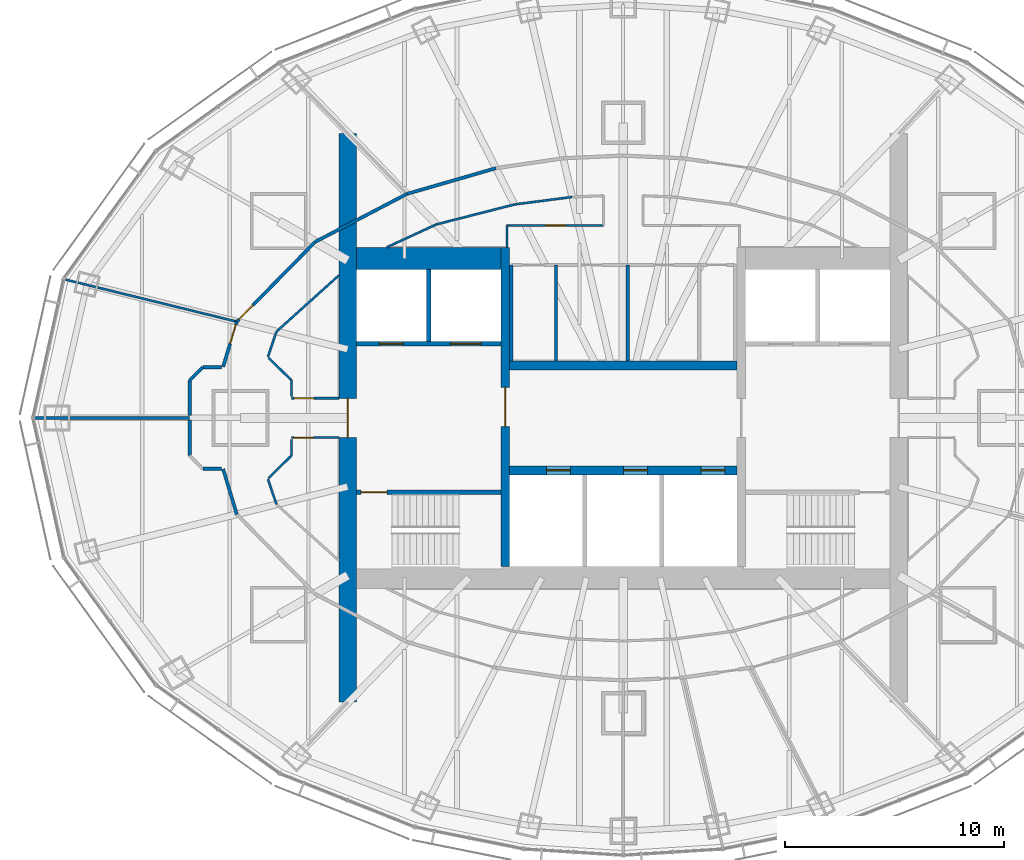
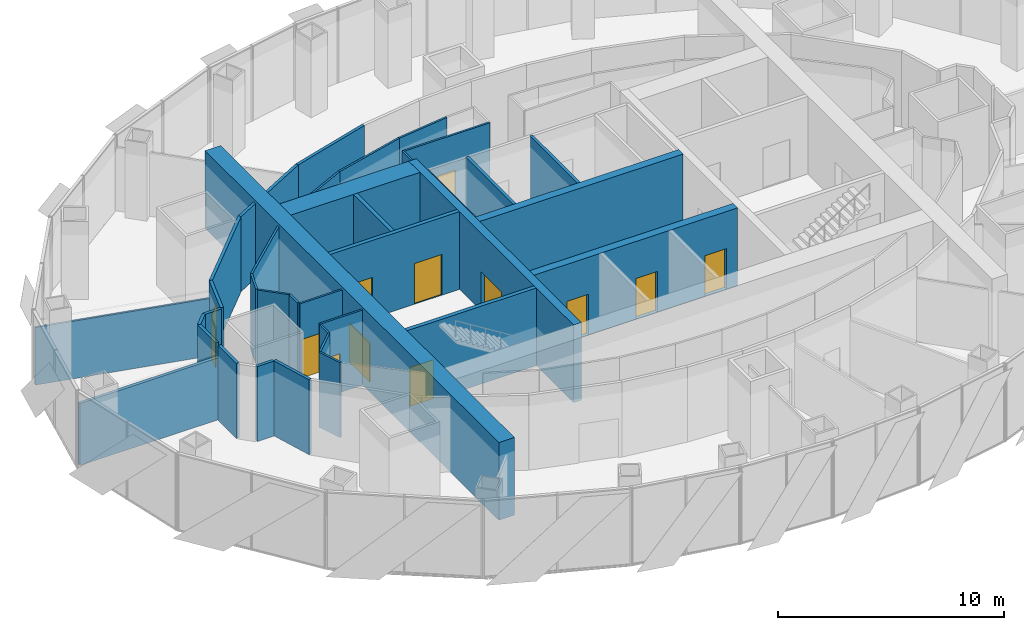
# One storey, part 12 of 17: 37 walls, 13 doors, 13 openings.
"""IFC4 building model written with IfcOpenShell, lengths in metres."""

from ifc_helpers import new_model, si_unit, direction, frame, frame_2d, origin, place, context, subcontext, project, spatial, rectangle, extrude, material, layer, layer_set, type_object, element, fill, save


model = new_model("IFC4")

# Units and contexts
model_context = context("Model", 3, precision=1e-05, world=origin(), true_north=direction((0.0, 1.0)))
body_context = subcontext(model_context, "Body", "Model", "MODEL_VIEW")
ifc_project = project(units=[si_unit("LENGTHUNIT", "METRE"), si_unit("AREAUNIT", "SQUARE_METRE"), si_unit("VOLUMEUNIT", "CUBIC_METRE"), si_unit("PLANEANGLEUNIT", "RADIAN"), si_unit("MASSUNIT", "GRAM", prefix="KILO")], contexts=[model_context])

# Site, building, storey
site_placement = place(None, origin())
site = spatial("IfcSite", under=ifc_project, at=site_placement, CompositionType="ELEMENT")
building_placement = place(site_placement, origin())
building = spatial("IfcBuilding", under=site, at=building_placement, Name="Lantaw Convention Tower", CompositionType="ELEMENT")
storey_placement = place(building_placement, frame((0.0, 0.0, 215.800048828125)))
storey = spatial("IfcBuildingStorey", under=building, at=storey_placement, Name="L50", CompositionType="ELEMENT", Elevation=215.800048828125)

# Wall
ifc_material_1 = material(Name="Concrete C60/75", Category="concrete")
ifc_layer_1 = layer(ifc_material_1, 1.0)
ifc_layer_set_1 = layer_set([ifc_layer_1], Name="Core wall 1000")
wall_type_1 = type_object("IfcWallType", Name="Core wall 1000", PredefinedType="SHEAR", material=ifc_layer_set_1)
wall_1_placement = place(storey_placement, frame((-5.60009765625, 7.300048828125, 0.0), z_axis=(0.0, 0.0, 1.0), x_axis=(-1.0, 0.0, 0.0)))
element("IfcWall", 1, at=wall_1_placement, inside=storey, type_object=wall_type_1, Name="Core wall NW", PredefinedType="SHEAR", context=body_context, shape_type="SweptSolid", body=[
    extrude(rectangle(XDim=6.599853515625, YDim=1.0, at=frame_2d((3.2998046875, 0.0))), origin(), (0.0, 0.0, 1.0), 4.199951171875),
])

# Wall, opening, door
ifc_layer_2 = layer(ifc_material_1, 0.199951171875)
ifc_layer_set_2 = layer_set([ifc_layer_2], Name="Core wall 200")
wall_type_2 = type_object("IfcWallType", Name="Core wall 200", PredefinedType="SHEAR", material=ifc_layer_set_2)
wall_2_placement = place(storey_placement, frame((-5.60009765625, -3.39990234375, 0.0), z_axis=(0.0, 0.0, 1.0), x_axis=(-1.0, 0.0, 0.0)))
wall_2 = element("IfcWall", 2, at=wall_2_placement, inside=storey, type_object=wall_type_2, Name="Core wall WS", PredefinedType="SHEAR", context=body_context, shape_type="SweptSolid", body=[
    extrude(rectangle(XDim=6.599853515625, YDim=0.199951171875, at=frame_2d((3.2998046875, 0.0))), origin(), (0.0, 0.0, 1.0), 4.199951171875),
])
opening_1_placement = place(wall_2_placement, frame((5.199951171875, 0.0, 0.0)))
opening_1 = element("IfcOpeningElement", 3, at=opening_1_placement, cuts=wall_2, Name="Opening L50.04", PredefinedType="OPENING", context=body_context, shape_type="SweptSolid", body=[
    extrude(rectangle(XDim=1.199951171875, YDim=2.10009765625, at=frame_2d((0.60009765625, 1.050048828125))), frame((0.0, 0.10986328125, 0.0), z_axis=(0.0, -1.0, 0.0), x_axis=(1.0, 0.0, 0.0)), (0.0, 0.0, 1.0), 0.219970703125),
])
ifc_material_2 = material(Name="Steel, fire rated", Category="steel")
door_type_1 = type_object("IfcDoorType", Name="Stair door FD90", OperationType="SINGLE_SWING_RIGHT", PredefinedType="DOOR", material=ifc_material_2)
door_1_placement = place(opening_1_placement, origin())
door_1 = element("IfcDoor", 4, at=door_1_placement, inside=storey, type_object=door_type_1, Name="Exit stair door", OperationType="SINGLE_SWING_RIGHT", OverallHeight=2.10009765625, OverallWidth=1.199951171875, PredefinedType="DOOR", context=body_context, shape_type="SweptSolid", body=[
    extrude(rectangle(XDim=1.199951171875, YDim=2.10009765625, at=frame_2d((0.60009765625, 1.050048828125))), frame((0.0, 0.02490234375, 0.0), z_axis=(0.0, -1.0, 0.0), x_axis=(1.0, 0.0, 0.0)), (0.0, 0.0, 1.0), 0.050048828125),
])
fill(opening_1, door_1)

ifc_layer_3 = layer(ifc_material_1, 0.39990234375)
ifc_layer_set_3 = layer_set([ifc_layer_3], Name="Core wall 400")
wall_type_3 = type_object("IfcWallType", Name="Core wall 400", PredefinedType="SHEAR", material=ifc_layer_set_3)
wall_3_placement = place(storey_placement, frame((-5.39990234375, 7.800048828125, 0.0), z_axis=(0.0, 0.0, 1.0), x_axis=(0.0, -1.0, 0.0)))
wall_3 = element("IfcWall", 5, at=wall_3_placement, inside=storey, type_object=wall_type_3, Name="Core wall XW", PredefinedType="SHEAR", context=body_context, shape_type="SweptSolid", body=[
    extrude(rectangle(XDim=14.60009765625, YDim=0.39990234375, at=frame_2d((7.300048828125, 0.0))), origin(), (0.0, 0.0, 1.0), 4.199951171875),
])
opening_2_placement = place(wall_3_placement, frame((6.39990234375, 0.0, 0.0)))
opening_2 = element("IfcOpeningElement", 6, at=opening_2_placement, cuts=wall_3, Name="Opening L50.02", PredefinedType="OPENING", context=body_context, shape_type="SweptSolid", body=[
    extrude(rectangle(XDim=1.800048828125, YDim=2.10009765625, at=frame_2d((0.89990234375, 1.050048828125))), frame((0.0, 0.2099609375, 0.0), z_axis=(0.0, -1.0, 0.0), x_axis=(1.0, 0.0, 0.0)), (0.0, 0.0, 1.0), 0.419921875),
])
door_type_2 = type_object("IfcDoorType", Name="Lobby double door FD90", OperationType="DOUBLE_DOOR_DOUBLE_SWING", PredefinedType="DOOR", material=ifc_material_2)
door_2_placement = place(opening_2_placement, origin())
door_2 = element("IfcDoor", 7, at=door_2_placement, inside=storey, type_object=door_type_2, Name="Lift lobby door", OperationType="DOUBLE_DOOR_DOUBLE_SWING", OverallHeight=2.10009765625, OverallWidth=1.800048828125, PredefinedType="DOOR", context=body_context, shape_type="SweptSolid", body=[
    extrude(rectangle(XDim=1.800048828125, YDim=2.10009765625, at=frame_2d((0.89990234375, 1.050048828125))), frame((0.0, 0.02490234375, 0.0), z_axis=(0.0, -1.0, 0.0), x_axis=(1.0, 0.0, 0.0)), (0.0, 0.0, 1.0), 0.050048828125),
])
fill(opening_2, door_2)

# Wall, openings, doors
wall_4_placement = place(storey_placement, frame((-5.199951171875, -2.39990234375, 0.0), z_axis=(0.0, 0.0, 1.0), x_axis=(1.0, 0.0, 0.0)))
wall_4 = element("IfcWall", 8, at=wall_4_placement, inside=storey, type_object=wall_type_3, Name="Core wall BS", PredefinedType="SHEAR", context=body_context, shape_type="SweptSolid", body=[
    extrude(rectangle(XDim=10.39990234375, YDim=0.39990234375, at=frame_2d((5.199951171875, 0.0))), origin(), (0.0, 0.0, 1.0), 4.199951171875),
])
opening_3_placement = place(wall_4_placement, frame((1.683349609375, 0.0, 0.0)))
opening_3 = element("IfcOpeningElement", 9, at=opening_3_placement, cuts=wall_4, Name="Opening L50.07", PredefinedType="OPENING", context=body_context, shape_type="SweptSolid", body=[
    extrude(rectangle(XDim=1.10009765625, YDim=2.199951171875, at=frame_2d((0.550048828125, 1.10009765625))), frame((0.0, 0.2099609375, 0.0), z_axis=(0.0, -1.0, 0.0), x_axis=(1.0, 0.0, 0.0)), (0.0, 0.0, 1.0), 0.419921875),
])
opening_4_placement = place(wall_4_placement, frame((5.216796875, 0.0, 0.0)))
opening_4 = element("IfcOpeningElement", 10, at=opening_4_placement, cuts=wall_4, Name="Opening L50.08", PredefinedType="OPENING", context=body_context, shape_type="SweptSolid", body=[
    extrude(rectangle(XDim=1.10009765625, YDim=2.199951171875, at=frame_2d((0.550048828125, 1.10009765625))), frame((0.0, 0.2099609375, 0.0), z_axis=(0.0, -1.0, 0.0), x_axis=(1.0, 0.0, 0.0)), (0.0, 0.0, 1.0), 0.419921875),
])
opening_5_placement = place(wall_4_placement, frame((8.75, 0.0, 0.0)))
opening_5 = element("IfcOpeningElement", 11, at=opening_5_placement, cuts=wall_4, Name="Opening L50.09", PredefinedType="OPENING", context=body_context, shape_type="SweptSolid", body=[
    extrude(rectangle(XDim=1.10009765625, YDim=2.199951171875, at=frame_2d((0.550048828125, 1.10009765625))), frame((0.0, 0.2099609375, 0.0), z_axis=(0.0, -1.0, 0.0), x_axis=(1.0, 0.0, 0.0)), (0.0, 0.0, 1.0), 0.419921875),
])
ifc_material_3 = material(Name="Stainless steel", Category="steel")
door_type_3 = type_object("IfcDoorType", Name="Lift landing door 1100", OperationType="DOUBLE_DOOR_SLIDING", PredefinedType="DOOR", material=ifc_material_3)
door_3_placement = place(opening_3_placement, origin())
door_3 = element("IfcDoor", 12, at=door_3_placement, inside=storey, type_object=door_type_3, Name="Lift landing door S1", OperationType="DOUBLE_DOOR_SLIDING", OverallHeight=2.199951171875, OverallWidth=1.10009765625, PredefinedType="DOOR", context=body_context, shape_type="SweptSolid", body=[
    extrude(rectangle(XDim=1.10009765625, YDim=2.199951171875, at=frame_2d((0.550048828125, 1.10009765625))), frame((0.0, 0.02490234375, 0.0), z_axis=(0.0, -1.0, 0.0), x_axis=(1.0, 0.0, 0.0)), (0.0, 0.0, 1.0), 0.050048828125),
])
fill(opening_3, door_3)
door_4_placement = place(opening_4_placement, origin())
door_4 = element("IfcDoor", 13, at=door_4_placement, inside=storey, type_object=door_type_3, Name="Lift landing door S2", OperationType="DOUBLE_DOOR_SLIDING", OverallHeight=2.199951171875, OverallWidth=1.10009765625, PredefinedType="DOOR", context=body_context, shape_type="SweptSolid", body=[
    extrude(rectangle(XDim=1.10009765625, YDim=2.199951171875, at=frame_2d((0.550048828125, 1.10009765625))), frame((0.0, 0.02490234375, 0.0), z_axis=(0.0, -1.0, 0.0), x_axis=(1.0, 0.0, 0.0)), (0.0, 0.0, 1.0), 0.050048828125),
])
fill(opening_4, door_4)
door_5_placement = place(opening_5_placement, origin())
door_5 = element("IfcDoor", 14, at=door_5_placement, inside=storey, type_object=door_type_3, Name="Lift landing door S3", OperationType="DOUBLE_DOOR_SLIDING", OverallHeight=2.199951171875, OverallWidth=1.10009765625, PredefinedType="DOOR", context=body_context, shape_type="SweptSolid", body=[
    extrude(rectangle(XDim=1.10009765625, YDim=2.199951171875, at=frame_2d((0.550048828125, 1.10009765625))), frame((0.0, 0.02490234375, 0.0), z_axis=(0.0, -1.0, 0.0), x_axis=(1.0, 0.0, 0.0)), (0.0, 0.0, 1.0), 0.050048828125),
])
fill(opening_5, door_5)

# Wall
wall_5_placement = place(storey_placement, frame((5.199951171875, 2.39990234375, 0.0), z_axis=(0.0, 0.0, 1.0), x_axis=(-1.0, 0.0, 0.0)))
element("IfcWall", 15, at=wall_5_placement, inside=storey, type_object=wall_type_3, Name="Core wall BN", PredefinedType="SHEAR", context=body_context, shape_type="SweptSolid", body=[
    extrude(rectangle(XDim=10.39990234375, YDim=0.39990234375, at=frame_2d((5.199951171875, 0.0))), origin(), (0.0, 0.0, 1.0), 4.199951171875),
])

# Wall, opening, door
ifc_layer_4 = layer(ifc_material_1, 0.800048828125)
ifc_layer_set_4 = layer_set([ifc_layer_4], Name="Core wall 800")
wall_type_4 = type_object("IfcWallType", Name="Core wall 800", PredefinedType="SHEAR", material=ifc_layer_set_4)
wall_6_placement = place(storey_placement, frame((-12.60009765625, 13.0, 0.0), z_axis=(0.0, 0.0, 1.0), x_axis=(0.0, -1.0, 0.0)))
wall_6 = element("IfcWall", 16, at=wall_6_placement, inside=storey, type_object=wall_type_4, Name="Core wall W", PredefinedType="SHEAR", context=body_context, shape_type="SweptSolid", body=[
    extrude(rectangle(XDim=26.0, YDim=0.800048828125, at=frame_2d((13.0, 0.0))), origin(), (0.0, 0.0, 1.0), 4.199951171875),
])
opening_6_placement = place(wall_6_placement, frame((12.10009765625, 0.0, 0.0)))
opening_6 = element("IfcOpeningElement", 17, at=opening_6_placement, cuts=wall_6, Name="Opening L50.06", PredefinedType="OPENING", context=body_context, shape_type="SweptSolid", body=[
    extrude(rectangle(XDim=1.800048828125, YDim=2.10009765625, at=frame_2d((0.89990234375, 1.050048828125))), frame((0.0, 0.409912109375, 0.0), z_axis=(0.0, -1.0, 0.0), x_axis=(1.0, 0.0, 0.0)), (0.0, 0.0, 1.0), 0.820068359375),
])
door_6_placement = place(opening_6_placement, origin())
door_6 = element("IfcDoor", 18, at=door_6_placement, inside=storey, type_object=door_type_2, Name="Firefighting lobby door", OperationType="DOUBLE_DOOR_DOUBLE_SWING", OverallHeight=2.10009765625, OverallWidth=1.800048828125, PredefinedType="DOOR", context=body_context, shape_type="SweptSolid", body=[
    extrude(rectangle(XDim=1.800048828125, YDim=2.10009765625, at=frame_2d((0.89990234375, 1.050048828125))), frame((0.0, 0.02490234375, 0.0), z_axis=(0.0, -1.0, 0.0), x_axis=(1.0, 0.0, 0.0)), (0.0, 0.0, 1.0), 0.050048828125),
])
fill(opening_6, door_6)

# Walls
ifc_material_4 = material(Name="Gypsum board on steel studs, fire rated", Category="steel")
ifc_layer_5 = layer(ifc_material_4, 0.14990234375)
ifc_layer_set_5 = layer_set([ifc_layer_5], Name="Corridor wall 150 EI 60")
wall_type_5 = type_object("IfcWallType", Name="Corridor wall 150 EI 60", PredefinedType="PARTITIONING", material=ifc_layer_set_5)
wall_7_placement = place(storey_placement, frame((-5.8203125, 11.423095703125, 0.0), z_axis=(0.0, 0.0, 1.0), x_axis=(-0.960614838378, -0.27788330696, 0.0)))
element("IfcWall", 19, at=wall_7_placement, inside=storey, type_object=wall_type_5, Name="Corridor wall 150", PredefinedType="PARTITIONING", context=body_context, shape_type="SweptSolid", body=[
    extrude(rectangle(XDim=4.239990234375, YDim=0.14990234375, at=frame_2d((2.1201171875, 0.0))), origin(), (0.0, 0.0, 1.0), 4.050048828125),
])
wall_8_placement = place(storey_placement, frame((-9.893310546875, 10.244873046875, 0.0), z_axis=(0.0, 0.0, 1.0), x_axis=(-0.886174439647, -0.463351769735, 0.0)))
element("IfcWall", 20, at=wall_8_placement, inside=storey, type_object=wall_type_5, Name="Corridor wall 150", PredefinedType="PARTITIONING", context=body_context, shape_type="SweptSolid", body=[
    extrude(rectangle(XDim=4.734619140625, YDim=0.14990234375, at=frame_2d((2.3671875, 0.0))), origin(), (0.0, 0.0, 1.0), 4.050048828125),
])

# Wall, opening, door
wall_9_placement = place(storey_placement, frame((-14.089111328125, 8.051025390625, 0.0), z_axis=(0.0, 0.0, 1.0), x_axis=(-0.701111216625, -0.713051934941, 0.0)))
wall_9 = element("IfcWall", 21, at=wall_9_placement, inside=storey, type_object=wall_type_5, Name="Corridor wall 150", PredefinedType="PARTITIONING", context=body_context, shape_type="SweptSolid", body=[
    extrude(rectangle(XDim=5.111572265625, YDim=0.14990234375, at=frame_2d((2.5556640625, 0.0))), origin(), (0.0, 0.0, 1.0), 4.050048828125),
])
opening_7_placement = place(wall_9_placement, frame((4.061279296875, 0.0, 0.0)))
opening_7 = element("IfcOpeningElement", 22, at=opening_7_placement, cuts=wall_9, Name="Opening L50.26", PredefinedType="OPENING", context=body_context, shape_type="SweptSolid", body=[
    extrude(rectangle(XDim=0.89990234375, YDim=2.10009765625, at=frame_2d((0.449951171875, 1.050048828125))), frame((0.0, 0.0849609375, 0.0), z_axis=(0.0, -1.0, 0.0), x_axis=(1.0, 0.0, 0.0)), (0.0, 0.0, 1.0), 0.169921875),
])
door_type_4 = type_object("IfcDoorType", Name="Office door 900 FD30", OperationType="SINGLE_SWING_LEFT", PredefinedType="DOOR", material=ifc_material_2)
door_7_placement = place(opening_7_placement, origin())
door_7 = element("IfcDoor", 23, at=door_7_placement, inside=storey, type_object=door_type_4, Name="Boardroom door", OperationType="SINGLE_SWING_LEFT", OverallHeight=2.10009765625, OverallWidth=0.89990234375, PredefinedType="DOOR", context=body_context, shape_type="SweptSolid", body=[
    extrude(rectangle(XDim=0.89990234375, YDim=2.10009765625, at=frame_2d((0.449951171875, 1.050048828125))), frame((0.0, 0.02490234375, 0.0), z_axis=(0.0, -1.0, 0.0), x_axis=(1.0, 0.0, 0.0)), (0.0, 0.0, 1.0), 0.050048828125),
])
fill(opening_7, door_7)

wall_10_placement = place(storey_placement, frame((-17.6728515625, 4.40625, 0.0), z_axis=(0.0, 0.0, 1.0), x_axis=(-0.288362447016, -0.957521330912, 0.0)))
wall_10 = element("IfcWall", 24, at=wall_10_placement, inside=storey, type_object=wall_type_5, Name="Corridor wall 150", PredefinedType="PARTITIONING", context=body_context, shape_type="SweptSolid", body=[
    extrude(rectangle(XDim=2.1630859375, YDim=0.14990234375, at=frame_2d((1.08154296875, 0.0))), origin(), (0.0, 0.0, 1.0), 4.050048828125),
])
opening_8_placement = place(wall_10_placement, frame((0.14990234375, 0.0, 0.0)))
opening_8 = element("IfcOpeningElement", 25, at=opening_8_placement, cuts=wall_10, Name="Opening L50.27", PredefinedType="OPENING", context=body_context, shape_type="SweptSolid", body=[
    extrude(rectangle(XDim=0.89990234375, YDim=2.10009765625, at=frame_2d((0.449951171875, 1.050048828125))), frame((0.0, 0.0849609375, 0.0), z_axis=(0.0, -1.0, 0.0), x_axis=(1.0, 0.0, 0.0)), (0.0, 0.0, 1.0), 0.169921875),
])
door_8_placement = place(opening_8_placement, origin())
door_8 = element("IfcDoor", 26, at=door_8_placement, inside=storey, type_object=door_type_4, Name="Pantry door", OperationType="SINGLE_SWING_LEFT", OverallHeight=2.10009765625, OverallWidth=0.89990234375, PredefinedType="DOOR", context=body_context, shape_type="SweptSolid", body=[
    extrude(rectangle(XDim=0.89990234375, YDim=2.10009765625, at=frame_2d((0.449951171875, 1.050048828125))), frame((0.0, 0.02490234375, 0.0), z_axis=(0.0, -1.0, 0.0), x_axis=(1.0, 0.0, 0.0)), (0.0, 0.0, 1.0), 0.050048828125),
])
fill(opening_8, door_8)

# Walls
wall_11_placement = place(storey_placement, frame((-18.296630859375, -2.3349609375, 0.0), z_axis=(0.0, 0.0, 1.0), x_axis=(0.288362447016, -0.957521330912, 0.0)))
element("IfcWall", 27, at=wall_11_placement, inside=storey, type_object=wall_type_5, Name="Corridor wall 150", PredefinedType="PARTITIONING", context=body_context, shape_type="SweptSolid", body=[
    extrude(rectangle(XDim=2.1630859375, YDim=0.14990234375, at=frame_2d((1.08154296875, 0.0))), origin(), (0.0, 0.0, 1.0), 4.050048828125),
])
wall_12_placement = place(storey_placement, frame((-19.824951171875, 0.103271484375, 0.0), z_axis=(0.0, 0.0, 1.0), x_axis=(0.0, 1.0, 0.0)))
element("IfcWall", 28, at=wall_12_placement, inside=storey, type_object=wall_type_5, Name="Corridor wall 150", PredefinedType="PARTITIONING", context=body_context, shape_type="SweptSolid", body=[
    extrude(rectangle(XDim=1.621337890625, YDim=0.14990234375, at=frame_2d((0.810546875, 0.0))), origin(), (0.0, 0.0, 1.0), 4.050048828125),
])
wall_13_placement = place(storey_placement, frame((-19.824951171875, 1.724609375, 0.0), z_axis=(0.0, 0.0, 1.0), x_axis=(0.707106781187, 0.707106781187, 0.0)))
element("IfcWall", 29, at=wall_13_placement, inside=storey, type_object=wall_type_5, Name="Corridor wall 150", PredefinedType="PARTITIONING", context=body_context, shape_type="SweptSolid", body=[
    extrude(rectangle(XDim=0.84912109375, YDim=0.14990234375, at=frame_2d((0.424560546875, 0.0))), origin(), (0.0, 0.0, 1.0), 4.050048828125),
])
for number, where, z_axis, x_axis, name in (
    (30, (-19.224609375, 2.324951171875, 0.0), (0.0, 0.0, 1.0), (1.0, 0.0, 0.0), "Corridor wall 150"),
    (31, (-18.367431640625, -2.324951171875, 0.0), (0.0, 0.0, 1.0), (-1.0, 0.0, 0.0), "Corridor wall 150"),
):
    element("IfcWall", number, at=place(storey_placement, frame(where, z_axis=z_axis, x_axis=x_axis)), inside=storey, type_object=wall_type_5, Name=name, PredefinedType="PARTITIONING", context=body_context, shape_type="SweptSolid", body=[
        extrude(rectangle(XDim=0.857177734375, YDim=0.14990234375, at=frame_2d((0.4287109375, 0.0))), origin(), (0.0, 0.0, 1.0), 4.050048828125),
    ])
wall_14_placement = place(storey_placement, frame((-19.824951171875, -1.724609375, 0.0), z_axis=(0.0, 0.0, 1.0), x_axis=(0.0, 1.0, 0.0)))
element("IfcWall", 32, at=wall_14_placement, inside=storey, type_object=wall_type_5, Name="Corridor wall 150", PredefinedType="PARTITIONING", context=body_context, shape_type="SweptSolid", body=[
    extrude(rectangle(XDim=1.621337890625, YDim=0.14990234375, at=frame_2d((0.810546875, 0.0))), origin(), (0.0, 0.0, 1.0), 4.050048828125),
])
ifc_material_5 = material(Name="Gypsum board on steel studs, acoustic", Category="steel")
ifc_layer_6 = layer(ifc_material_5, 0.10009765625)
ifc_layer_set_6 = layer_set([ifc_layer_6], Name="Office partition 100")
wall_type_6 = type_object("IfcWallType", Name="Office partition 100", PredefinedType="PARTITIONING", material=ifc_layer_set_6)
wall_15_placement = place(storey_placement, frame((-25.542724609375, 6.335693359375, 0.0), z_axis=(0.0, 0.0, 1.0), x_axis=(0.97123661777, -0.238116425942, 0.0)))
element("IfcWall", 33, at=wall_15_placement, inside=storey, type_object=wall_type_6, Name="Office partition 100", PredefinedType="PARTITIONING", context=body_context, shape_type="SweptSolid", body=[
    extrude(rectangle(XDim=8.10302734375, YDim=0.10009765625, at=frame_2d((4.051513671875, 0.0))), origin(), (0.0, 0.0, 1.0), 3.107666015625),
])
wall_16_placement = place(storey_placement, frame((-10.822509765625, 7.800048828125, 0.0), z_axis=(0.0, 0.0, 1.0), x_axis=(0.907759689292, 0.419490579748, 0.0)))
element("IfcWall", 34, at=wall_16_placement, inside=storey, type_object=wall_type_6, Name="Office partition 100", PredefinedType="PARTITIONING", context=body_context, shape_type="SweptSolid", body=[
    extrude(rectangle(XDim=2.506103515625, YDim=0.10009765625, at=frame_2d((1.2529296875, 0.0))), origin(), (0.0, 0.0, 1.0), 4.050048828125),
])
wall_17_placement = place(storey_placement, frame((-8.547607421875, 8.851318359375, 0.0), z_axis=(0.0, 0.0, 1.0), x_axis=(0.968887312542, 0.247502273921, 0.0)))
element("IfcWall", 35, at=wall_17_placement, inside=storey, type_object=wall_type_6, Name="Office partition 100", PredefinedType="PARTITIONING", context=body_context, shape_type="SweptSolid", body=[
    extrude(rectangle(XDim=3.687255859375, YDim=0.10009765625, at=frame_2d((1.84375, 0.0))), origin(), (0.0, 0.0, 1.0), 4.050048828125),
])
wall_18_placement = place(storey_placement, frame((-4.97509765625, 9.763916015625, 0.0), z_axis=(0.0, 0.0, 1.0), x_axis=(0.99173579163, 0.128296997624, 0.0)))
element("IfcWall", 36, at=wall_18_placement, inside=storey, type_object=wall_type_6, Name="Office partition 100", PredefinedType="PARTITIONING", context=body_context, shape_type="SweptSolid", body=[
    extrude(rectangle(XDim=2.6640625, YDim=0.10009765625, at=frame_2d((1.33203125, 0.0))), origin(), (0.0, 0.0, 1.0), 4.050048828125),
])

# Wall, opening, door
wall_19_placement = place(storey_placement, frame((-0.89990234375, 8.800048828125, 0.0), z_axis=(0.0, 0.0, 1.0), x_axis=(-1.0, 0.0, 0.0)))
wall_19 = element("IfcWall", 37, at=wall_19_placement, inside=storey, type_object=wall_type_6, Name="Office partition 100", PredefinedType="PARTITIONING", context=body_context, shape_type="SweptSolid", body=[
    extrude(rectangle(XDim=4.420166015625, YDim=0.10009765625, at=frame_2d((2.2099609375, 0.0))), origin(), (0.0, 0.0, 1.0), 4.050048828125),
])
opening_9_placement = place(wall_19_placement, frame((1.760009765625, 0.0, 0.0)))
opening_9 = element("IfcOpeningElement", 38, at=opening_9_placement, cuts=wall_19, Name="Opening L50.23", PredefinedType="OPENING", context=body_context, shape_type="SweptSolid", body=[
    extrude(rectangle(XDim=0.89990234375, YDim=2.10009765625, at=frame_2d((0.449951171875, 1.050048828125))), frame((0.0, 0.06005859375, 0.0), z_axis=(0.0, -1.0, 0.0), x_axis=(1.0, 0.0, 0.0)), (0.0, 0.0, 1.0), 0.1201171875),
])
ifc_material_6 = material(Name="Timber", Category="wood")
door_type_5 = type_object("IfcDoorType", Name="Office door 900", OperationType="SINGLE_SWING_LEFT", PredefinedType="DOOR", material=ifc_material_6)
door_9_placement = place(opening_9_placement, origin())
door_9 = element("IfcDoor", 39, at=door_9_placement, inside=storey, type_object=door_type_5, Name="Project room door", OperationType="SINGLE_SWING_LEFT", OverallHeight=2.10009765625, OverallWidth=0.89990234375, PredefinedType="DOOR", context=body_context, shape_type="SweptSolid", body=[
    extrude(rectangle(XDim=0.89990234375, YDim=2.10009765625, at=frame_2d((0.449951171875, 1.050048828125))), frame((0.0, 0.02490234375, 0.0), z_axis=(0.0, -1.0, 0.0), x_axis=(1.0, 0.0, 0.0)), (0.0, 0.0, 1.0), 0.050048828125),
])
fill(opening_9, door_9)

# Walls
wall_20_placement = place(storey_placement, frame((-5.320068359375, 8.800048828125, 0.0), z_axis=(0.0, 0.0, 1.0), x_axis=(0.0, -1.0, 0.0)))
element("IfcWall", 40, at=wall_20_placement, inside=storey, type_object=wall_type_6, Name="Office partition 100", PredefinedType="PARTITIONING", context=body_context, shape_type="SweptSolid", body=[
    extrude(rectangle(XDim=1.0, YDim=0.10009765625, at=frame_2d((0.5, 0.0))), origin(), (0.0, 0.0, 1.0), 4.050048828125),
])
wall_21_placement = place(storey_placement, frame((-15.855712890625, 3.953369140625, 0.0), z_axis=(0.0, 0.0, 1.0), x_axis=(0.743177243228, 0.669094601046, 0.0)))
element("IfcWall", 41, at=wall_21_placement, inside=storey, type_object=wall_type_6, Name="Office partition 100", PredefinedType="PARTITIONING", context=body_context, shape_type="SweptSolid", body=[
    extrude(rectangle(XDim=3.842529296875, YDim=0.10009765625, at=frame_2d((1.92138671875, 0.0))), origin(), (0.0, 0.0, 1.0), 4.050048828125),
])
wall_22_placement = place(storey_placement, frame((-15.855712890625, -3.953369140625, 0.0), z_axis=(0.0, 0.0, 1.0), x_axis=(-0.321913473529, 0.946769093053, 0.0)))
element("IfcWall", 42, at=wall_22_placement, inside=storey, type_object=wall_type_6, Name="Office partition 100", PredefinedType="PARTITIONING", context=body_context, shape_type="SweptSolid", body=[
    extrude(rectangle(XDim=1.22265625, YDim=0.10009765625, at=frame_2d((0.611328125, 0.0))), origin(), (0.0, 0.0, 1.0), 4.050048828125),
])

# Wall, opening, door
wall_23_placement = place(storey_placement, frame((-15.1650390625, -0.89990234375, 0.0), z_axis=(0.0, 0.0, 1.0), x_axis=(1.0, 0.0, 0.0)))
wall_23 = element("IfcWall", 43, at=wall_23_placement, inside=storey, type_object=wall_type_6, Name="Office partition 100", PredefinedType="PARTITIONING", context=body_context, shape_type="SweptSolid", body=[
    extrude(rectangle(XDim=2.1650390625, YDim=0.10009765625, at=frame_2d((1.08251953125, 0.0))), origin(), (0.0, 0.0, 1.0), 4.050048828125),
])
opening_10_placement = place(wall_23_placement, frame((0.10009765625, 0.0, 0.0)))
opening_10 = element("IfcOpeningElement", 44, at=opening_10_placement, cuts=wall_23, Name="Opening L50.18", PredefinedType="OPENING", context=body_context, shape_type="SweptSolid", body=[
    extrude(rectangle(XDim=0.89990234375, YDim=2.10009765625, at=frame_2d((0.449951171875, 1.050048828125))), frame((0.0, 0.06005859375, 0.0), z_axis=(0.0, -1.0, 0.0), x_axis=(1.0, 0.0, 0.0)), (0.0, 0.0, 1.0), 0.1201171875),
])
door_10_placement = place(opening_10_placement, origin())
door_10 = element("IfcDoor", 45, at=door_10_placement, inside=storey, type_object=door_type_5, Name="Meeting room door", OperationType="SINGLE_SWING_LEFT", OverallHeight=2.10009765625, OverallWidth=0.89990234375, PredefinedType="DOOR", context=body_context, shape_type="SweptSolid", body=[
    extrude(rectangle(XDim=0.89990234375, YDim=2.10009765625, at=frame_2d((0.449951171875, 1.050048828125))), frame((0.0, 0.02490234375, 0.0), z_axis=(0.0, -1.0, 0.0), x_axis=(1.0, 0.0, 0.0)), (0.0, 0.0, 1.0), 0.050048828125),
])
fill(opening_10, door_10)

wall_24_placement = place(storey_placement, frame((-13.0, 0.89990234375, 0.0), z_axis=(0.0, 0.0, 1.0), x_axis=(-1.0, 0.0, 0.0)))
wall_24 = element("IfcWall", 46, at=wall_24_placement, inside=storey, type_object=wall_type_6, Name="Office partition 100", PredefinedType="PARTITIONING", context=body_context, shape_type="SweptSolid", body=[
    extrude(rectangle(XDim=2.1650390625, YDim=0.10009765625, at=frame_2d((1.08251953125, 0.0))), origin(), (0.0, 0.0, 1.0), 4.050048828125),
])
opening_11_placement = place(wall_24_placement, frame((1.14990234375, 0.0, 0.0)))
opening_11 = element("IfcOpeningElement", 47, at=opening_11_placement, cuts=wall_24, Name="Opening L50.24", PredefinedType="OPENING", context=body_context, shape_type="SweptSolid", body=[
    extrude(rectangle(XDim=0.89990234375, YDim=2.10009765625, at=frame_2d((0.449951171875, 1.050048828125))), frame((0.0, 0.06005859375, 0.0), z_axis=(0.0, -1.0, 0.0), x_axis=(1.0, 0.0, 0.0)), (0.0, 0.0, 1.0), 0.1201171875),
])
door_11_placement = place(opening_11_placement, origin())
door_11 = element("IfcDoor", 48, at=door_11_placement, inside=storey, type_object=door_type_5, Name="Meeting room door", OperationType="SINGLE_SWING_LEFT", OverallHeight=2.10009765625, OverallWidth=0.89990234375, PredefinedType="DOOR", context=body_context, shape_type="SweptSolid", body=[
    extrude(rectangle(XDim=0.89990234375, YDim=2.10009765625, at=frame_2d((0.449951171875, 1.050048828125))), frame((0.0, 0.02490234375, 0.0), z_axis=(0.0, -1.0, 0.0), x_axis=(1.0, 0.0, 0.0)), (0.0, 0.0, 1.0), 0.050048828125),
])
fill(opening_11, door_11)

# Walls
wall_25_placement = place(storey_placement, frame((-16.249267578125, 2.7958984375, 0.0), z_axis=(0.0, 0.0, 1.0), x_axis=(0.321913473529, 0.946769093053, 0.0)))
element("IfcWall", 49, at=wall_25_placement, inside=storey, type_object=wall_type_6, Name="Office partition 100", PredefinedType="PARTITIONING", context=body_context, shape_type="SweptSolid", body=[
    extrude(rectangle(XDim=1.22265625, YDim=0.10009765625, at=frame_2d((0.611328125, 0.0))), origin(), (0.0, 0.0, 1.0), 4.050048828125),
])
wall_26_placement = place(storey_placement, frame((-15.175048828125, -0.978271484375, 0.0), z_axis=(0.0, 0.0, 1.0), x_axis=(0.0, -1.0, 0.0)))
element("IfcWall", 50, at=wall_26_placement, inside=storey, type_object=wall_type_6, Name="Office partition 100", PredefinedType="PARTITIONING", context=body_context, shape_type="SweptSolid", body=[
    extrude(rectangle(XDim=0.746337890625, YDim=0.10009765625, at=frame_2d((0.373046875, 0.0))), origin(), (0.0, 0.0, 1.0), 4.050048828125),
])
for number, where, z_axis, x_axis, name in (
    (51, (-15.175048828125, -1.724609375, 0.0), (0.0, 0.0, 1.0), (-0.712897698193, -0.701268045694, 0.0), "Office partition 100"),
    (52, (-16.22265625, 2.755126953125, 0.0), (0.0, 0.0, 1.0), (0.712897698193, -0.701268045694, 0.0), "Office partition 100"),
):
    element("IfcWall", number, at=place(storey_placement, frame(where, z_axis=z_axis, x_axis=x_axis)), inside=storey, type_object=wall_type_6, Name=name, PredefinedType="PARTITIONING", context=body_context, shape_type="SweptSolid", body=[
        extrude(rectangle(XDim=1.469482421875, YDim=0.10009765625, at=frame_2d((0.73486328125, 0.0))), origin(), (0.0, 0.0, 1.0), 4.050048828125),
    ])
wall_27_placement = place(storey_placement, frame((-15.175048828125, 1.724609375, 0.0), z_axis=(0.0, 0.0, 1.0), x_axis=(0.0, -1.0, 0.0)))
element("IfcWall", 53, at=wall_27_placement, inside=storey, type_object=wall_type_6, Name="Office partition 100", PredefinedType="PARTITIONING", context=body_context, shape_type="SweptSolid", body=[
    extrude(rectangle(XDim=0.746337890625, YDim=0.10009765625, at=frame_2d((0.373046875, 0.0))), origin(), (0.0, 0.0, 1.0), 4.050048828125),
])

# Wall, openings, doors
ifc_material_7 = material(Name="Concrete blockwork, fire rated", Category="masonry")
ifc_layer_7 = layer(ifc_material_7, 0.199951171875)
ifc_layer_set_7 = layer_set([ifc_layer_7], Name="Shaft wall 200")
wall_type_7 = type_object("IfcWallType", Name="Shaft wall 200", PredefinedType="SOLIDWALL", material=ifc_layer_set_7)
wall_28_placement = place(storey_placement, frame((-12.199951171875, 3.39990234375, 0.0), z_axis=(0.0, 0.0, 1.0), x_axis=(1.0, 0.0, 0.0)))
wall_28 = element("IfcWall", 54, at=wall_28_placement, inside=storey, type_object=wall_type_7, Name="Shaft wall WN", PredefinedType="SOLIDWALL", context=body_context, shape_type="SweptSolid", body=[
    extrude(rectangle(XDim=6.599853515625, YDim=0.199951171875, at=frame_2d((3.2998046875, 0.0))), origin(), (0.0, 0.0, 1.0), 4.199951171875),
])
opening_12_placement = place(wall_28_placement, frame((1.050048828125, 0.0, 0.0)))
opening_12 = element("IfcOpeningElement", 55, at=opening_12_placement, cuts=wall_28, Name="Opening L50.10", PredefinedType="OPENING", context=body_context, shape_type="SweptSolid", body=[
    extrude(rectangle(XDim=1.10009765625, YDim=2.199951171875, at=frame_2d((0.550048828125, 1.10009765625))), frame((0.0, 0.10986328125, 0.0), z_axis=(0.0, -1.0, 0.0), x_axis=(1.0, 0.0, 0.0)), (0.0, 0.0, 1.0), 0.219970703125),
])
opening_13_placement = place(wall_28_placement, frame((4.300048828125, 0.0, 0.0)))
opening_13 = element("IfcOpeningElement", 56, at=opening_13_placement, cuts=wall_28, Name="Opening L50.11", PredefinedType="OPENING", context=body_context, shape_type="SweptSolid", body=[
    extrude(rectangle(XDim=1.39990234375, YDim=2.199951171875, at=frame_2d((0.699951171875, 1.10009765625))), frame((0.0, 0.10986328125, 0.0), z_axis=(0.0, -1.0, 0.0), x_axis=(1.0, 0.0, 0.0)), (0.0, 0.0, 1.0), 0.219970703125),
])
door_12_placement = place(opening_12_placement, origin())
door_12 = element("IfcDoor", 57, at=door_12_placement, inside=storey, type_object=door_type_3, Name="Lift landing door FF1", OperationType="DOUBLE_DOOR_SLIDING", OverallHeight=2.199951171875, OverallWidth=1.10009765625, PredefinedType="DOOR", context=body_context, shape_type="SweptSolid", body=[
    extrude(rectangle(XDim=1.10009765625, YDim=2.199951171875, at=frame_2d((0.550048828125, 1.10009765625))), frame((0.0, 0.02490234375, 0.0), z_axis=(0.0, -1.0, 0.0), x_axis=(1.0, 0.0, 0.0)), (0.0, 0.0, 1.0), 0.050048828125),
])
fill(opening_12, door_12)
door_type_6 = type_object("IfcDoorType", Name="Lift landing door 1400", OperationType="DOUBLE_DOOR_SLIDING", PredefinedType="DOOR", material=ifc_material_3)
door_13_placement = place(opening_13_placement, origin())
door_13 = element("IfcDoor", 58, at=door_13_placement, inside=storey, type_object=door_type_6, Name="Lift landing door SV1", OperationType="DOUBLE_DOOR_SLIDING", OverallHeight=2.199951171875, OverallWidth=1.39990234375, PredefinedType="DOOR", context=body_context, shape_type="SweptSolid", body=[
    extrude(rectangle(XDim=1.39990234375, YDim=2.199951171875, at=frame_2d((0.699951171875, 1.10009765625))), frame((0.0, 0.02490234375, 0.0), z_axis=(0.0, -1.0, 0.0), x_axis=(1.0, 0.0, 0.0)), (0.0, 0.0, 1.0), 0.050048828125),
])
fill(opening_13, door_13)

# Walls
wall_29_placement = place(storey_placement, frame((-8.89990234375, 3.5, 0.0), z_axis=(0.0, 0.0, 1.0), x_axis=(0.0, 1.0, 0.0)))
element("IfcWall", 59, at=wall_29_placement, inside=storey, type_object=wall_type_7, Name="Shaft wall WD", PredefinedType="SOLIDWALL", context=body_context, shape_type="SweptSolid", body=[
    extrude(rectangle(XDim=3.300048828125, YDim=0.199951171875, at=frame_2d((1.64990234375, 0.0))), origin(), (0.0, 0.0, 1.0), 4.199951171875),
])
ifc_layer_8 = layer(ifc_material_4, 0.14990234375)
ifc_layer_set_8 = layer_set([ifc_layer_8], Name="Tenant separation wall 150 EI 60")
wall_type_8 = type_object("IfcWallType", Name="Tenant separation wall 150 EI 60", PredefinedType="PARTITIONING", material=ifc_layer_set_8)
wall_30_placement = place(storey_placement, frame((-26.944091796875, 0.0, 0.0), z_axis=(0.0, 0.0, 1.0), x_axis=(1.0, 0.0, 0.0)))
element("IfcWall", 60, at=wall_30_placement, inside=storey, type_object=wall_type_8, Name="Tenant separation wall 150", PredefinedType="PARTITIONING", context=body_context, shape_type="SweptSolid", body=[
    extrude(rectangle(XDim=7.109130859375, YDim=0.14990234375, at=frame_2d((3.5546875, 0.0))), origin(), (0.0, 0.0, 1.0), 3.348876953125),
])
ifc_material_8 = material(Name="Concrete blockwork", Category="masonry")
ifc_layer_9 = layer(ifc_material_8, 0.14990234375)
ifc_layer_set_9 = layer_set([ifc_layer_9], Name="WC wall 150")
wall_type_9 = type_object("IfcWallType", Name="WC wall 150", PredefinedType="SOLIDWALL", material=ifc_layer_set_9)
for number, where, z_axis, x_axis, name in (
    (61, (-5.1201171875, 2.60009765625, 0.0), (0.0, 0.0, 1.0), (0.0, 1.0, 0.0), "WC wall 150"),
    (62, (-3.072021484375, 2.60009765625, 0.0), (0.0, 0.0, 1.0), (0.0, 1.0, 0.0), "WC wall 150"),
    (63, (0.204833984375, 2.60009765625, 0.0), (0.0, 0.0, 1.0), (0.0, 1.0, 0.0), "WC wall 150"),
):
    element("IfcWall", number, at=place(storey_placement, frame(where, z_axis=z_axis, x_axis=x_axis)), inside=storey, type_object=wall_type_9, Name=name, PredefinedType="SOLIDWALL", context=body_context, shape_type="SweptSolid", body=[
        extrude(rectangle(XDim=4.39990234375, YDim=0.14990234375, at=frame_2d((2.199951171875, 0.0))), origin(), (0.0, 0.0, 1.0), 4.050048828125),
    ])

save(model, "model.ifc")
